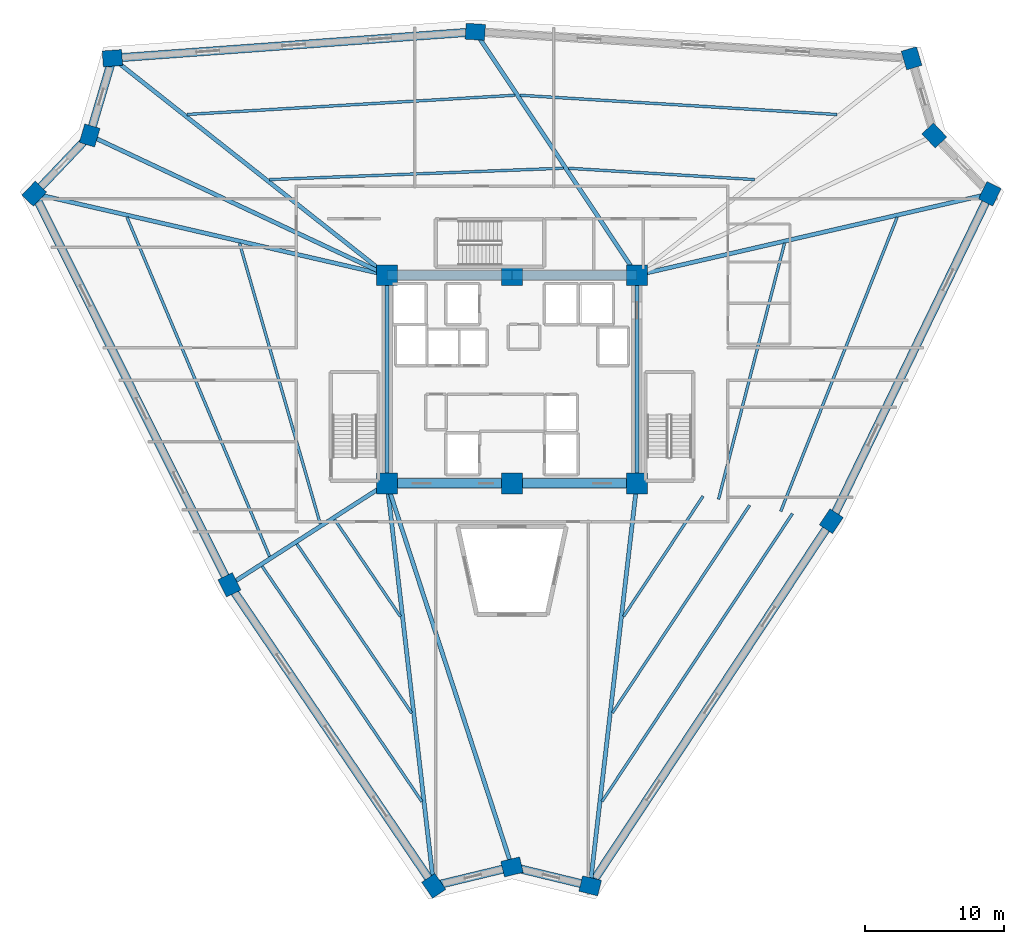
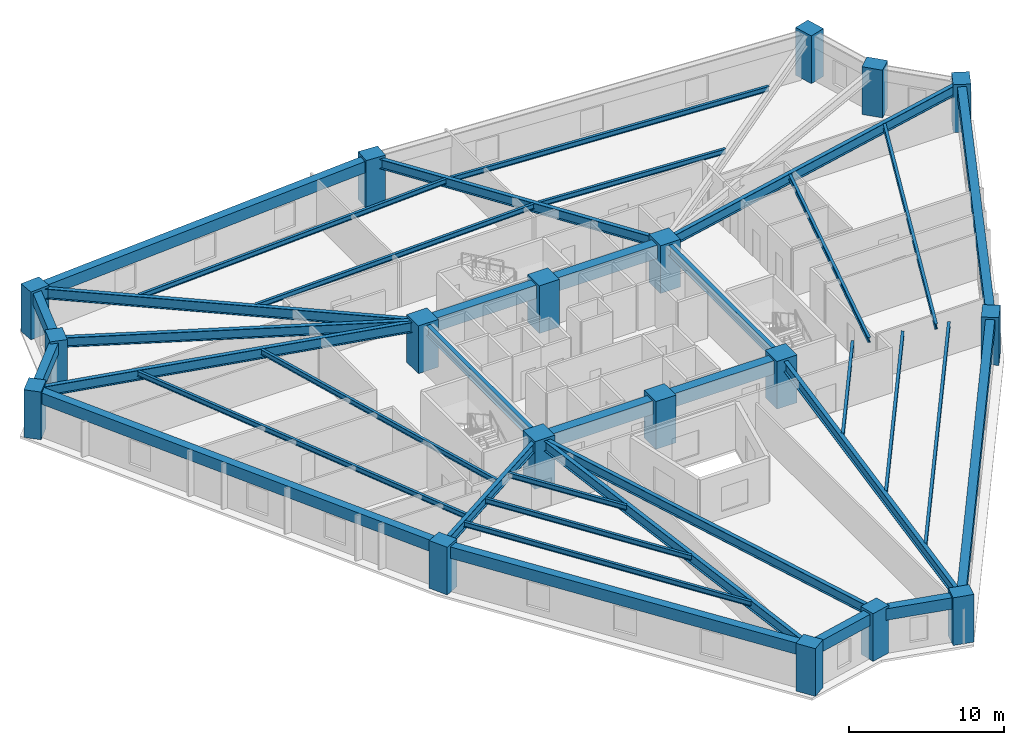
# One storey, part 1 of 8: 38 beams, 18 columns.
"""IFC4 building model written with IfcOpenShell, lengths in metres."""

from ifc_helpers import new_model, si_unit, direction, frame, origin, origin_2d, place, context, subcontext, project, spatial, rectangle, i_section, extrude, source, transform, mapped, material, material_profile, profile_set, type_object, element, save


model = new_model("IFC4")

# Units and contexts
model_context = context("Model", 3, precision=1e-05, world=origin(), true_north=direction((0.0, 1.0)))
body_context = subcontext(model_context, "Body", "Model", "MODEL_VIEW")
ifc_project = project(units=[si_unit("LENGTHUNIT", "METRE"), si_unit("AREAUNIT", "SQUARE_METRE"), si_unit("VOLUMEUNIT", "CUBIC_METRE"), si_unit("PLANEANGLEUNIT", "RADIAN"), si_unit("MASSUNIT", "GRAM", prefix="KILO")], contexts=[model_context])

# Site, building, storey
site_placement = place(None, origin())
site = spatial("IfcSite", under=ifc_project, at=site_placement, CompositionType="ELEMENT")
building_placement = place(site_placement, origin())
building = spatial("IfcBuilding", under=site, at=building_placement, Name="Liaohun Quay Tower", CompositionType="ELEMENT")
storey_placement = place(building_placement, frame((0.0, 0.0, 177.75)))
storey = spatial("IfcBuildingStorey", under=building, at=storey_placement, Name="L46", CompositionType="ELEMENT", Elevation=177.75)

# Columns
ifc_material_1 = material(Name="Concrete C60", Category="concrete")
ifc_material_profile_1 = material_profile(ifc_material_1, rectangle(XDim=1.5, YDim=1.5, at=origin_2d()), Name="RC1500x1500")
ifc_profile_set_1 = profile_set([ifc_material_profile_1], Name="Concrete C60")
column_type_1 = type_object("IfcColumnType", Name="COL-CC-Z2", PredefinedType="COLUMN", material=ifc_profile_set_1)
shared_shape_1 = source(origin(), body_context, "Body", "SweptSolid", [
    extrude(rectangle(XDim=1.5, YDim=1.5, at=origin_2d()), origin(), (0.0, 0.0, 1.0), 3.75),
])
for number, where, z_axis, x_axis, name in (
    (1, (51.0, 46.5, 0.0), (0.0, 0.0, 1.0), (1.0, 0.0, 0.0), "L46 Core Column CC1"),
    (2, (60.0, 46.5, 0.0), (0.0, 0.0, 1.0), (1.0, 0.0, 0.0), "L46 Core Column CC2"),
    (3, (69.0, 46.5, 0.0), (0.0, 0.0, 1.0), (1.0, 0.0, 0.0), "L46 Core Column CC3"),
    (4, (69.0, 61.5, 0.0), (0.0, 0.0, 1.0), (1.0, 0.0, 0.0), "L46 Core Column CC4"),
    (5, (60.0, 61.5, 0.0), (0.0, 0.0, 1.0), (1.0, 0.0, 0.0), "L46 Core Column CC5"),
    (6, (51.0, 61.5, 0.0), (0.0, 0.0, 1.0), (1.0, 0.0, 0.0), "L46 Core Column CC6"),
):
    element("IfcColumn", number, at=place(storey_placement, frame(where, z_axis=z_axis, x_axis=x_axis)), inside=storey, type_object=column_type_1, Name=name, PredefinedType="COLUMN", context=body_context, shape_type="MappedRepresentation", body=[
        mapped(shared_shape_1, transform((0.0, 0.0, 0.0), x_axis=(1.0, 0.0, 0.0), y_axis=(0.0, 1.0, 0.0), z_axis=(0.0, 0.0, 1.0), scale=1.0)),
    ])
ifc_material_profile_2 = material_profile(ifc_material_1, rectangle(XDim=1.39990234375, YDim=1.14990234375, at=origin_2d()), Name="RC1400x1150")
ifc_profile_set_2 = profile_set([ifc_material_profile_2], Name="Concrete C60")
column_type_2 = type_object("IfcColumnType", Name="COL-PIER-Z2", PredefinedType="COLUMN", material=ifc_profile_set_2)
shared_shape_2 = source(origin(), body_context, "Body", "SweptSolid", [
    extrude(rectangle(XDim=1.39990234375, YDim=1.14990234375, at=origin_2d()), origin(), (0.0, 0.0, 1.0), 3.75),
])
for number, where, z_axis, x_axis, name in (
    (7, (54.362060546875, 17.50390625, 0.0), (0.0, 0.0, 1.0), (-0.561505829755, 0.827472780913, 0.0), "L46 Perimeter Pier PC01"),
    (8, (39.64208984375, 39.193115234375, 0.0), (0.0, 0.0, 1.0), (-0.446510176944, 0.894778554664, 0.0), "L46 Perimeter Pier PC02"),
    (9, (25.580078125, 67.3701171875, 0.0), (0.0, 0.0, 1.0), (0.68936671806, 0.724412539946, 0.0), "L46 Perimeter Pier PC03"),
    (10, (29.572998046875, 71.56689453125, 0.0), (0.0, 0.0, 1.0), (0.28284371374, 0.959166009405, 0.0), "L46 Perimeter Pier PC04"),
    (11, (31.214111328125, 77.131103515625, 0.0), (0.0, 0.0, 1.0), (0.997365364088, 0.072541922484, 0.0), "L46 Perimeter Pier PC05"),
    (12, (57.35595703125, 79.032958984375, 0.0), (0.0, 0.0, 1.0), (-0.998156047572, 0.06070012105, 0.0), "L46 Perimeter Pier PC06"),
    (13, (88.7880859375, 77.1240234375, 0.0), (0.0, 0.0, 1.0), (-0.28284371374, 0.959166009405, 0.0), "L46 Perimeter Pier PC07"),
    (14, (90.427001953125, 71.56689453125, 0.0), (0.0, 0.0, 1.0), (-0.68936671806, 0.724412539946, 0.0), "L46 Perimeter Pier PC08"),
    (15, (94.425048828125, 67.364990234375, 0.0), (0.0, 0.0, 1.0), (0.435859534333, 0.900014703397, 0.0), "L46 Perimeter Pier PC09"),
    (16, (83.001953125, 43.77392578125, 0.0), (0.0, 0.0, 1.0), (0.551645870628, 0.834078433613, 0.0), "L46 Perimeter Pier PC10"),
    (17, (65.631103515625, 17.506103515625, 0.0), (0.0, 0.0, 1.0), (-0.972043021443, 0.234802820391, 0.0), "L46 Perimeter Pier PC11"),
    (18, (60.0, 18.865966796875, 0.0), (0.0, 0.0, 1.0), (0.972043021443, 0.234802820391, 0.0), "L46 Perimeter Pier PC12"),
):
    element("IfcColumn", number, at=place(storey_placement, frame(where, z_axis=z_axis, x_axis=x_axis)), inside=storey, type_object=column_type_2, Name=name, PredefinedType="COLUMN", context=body_context, shape_type="MappedRepresentation", body=[
        mapped(shared_shape_2, transform((0.0, 0.0, 0.0), x_axis=(1.0, 0.0, 0.0), y_axis=(0.0, 1.0, 0.0), z_axis=(0.0, 0.0, 1.0), scale=1.0)),
    ])

# Beams
ifc_material_profile_3 = material_profile(ifc_material_1, rectangle(XDim=0.699951171875, YDim=1.050048828125, at=origin_2d()), Name="RC700x1050")
ifc_profile_set_3 = profile_set([ifc_material_profile_3], Name="Concrete C60")
beam_type_1 = type_object("IfcBeamType", Name="BM-CPL-1", PredefinedType="LINTEL", material=ifc_profile_set_3)
shared_shape_3 = source(origin(), body_context, "Body", "SweptSolid", [
    extrude(rectangle(XDim=0.699951171875, YDim=1.050048828125, at=origin_2d()), origin(), (0.0, 0.0, 1.0), 9.0),
])
for number, where, z_axis, x_axis, name in (
    (19, (51.0, 46.5, 3.044921875), (1.0, 0.0, 0.0), (0.0, 1.0, 0.0), "L46 Core Coupling/Ring Beam CC1-CC2"),
    (20, (60.0, 46.5, 3.044921875), (1.0, 0.0, 0.0), (0.0, 1.0, 0.0), "L46 Core Coupling/Ring Beam CC2-CC3"),
    (21, (69.0, 61.5, 3.044921875), (-1.0, 0.0, 0.0), (0.0, -1.0, 0.0), "L46 Core Coupling/Ring Beam CC4-CC5"),
    (22, (60.0, 61.5, 3.044921875), (-1.0, 0.0, 0.0), (0.0, -1.0, 0.0), "L46 Core Coupling/Ring Beam CC5-CC6"),
):
    element("IfcBeam", number, at=place(storey_placement, frame(where, z_axis=z_axis, x_axis=x_axis)), inside=storey, type_object=beam_type_1, Name=name, PredefinedType="LINTEL", context=body_context, shape_type="MappedRepresentation", body=[
        mapped(shared_shape_3, transform((0.0, 0.0, 0.0), x_axis=(1.0, 0.0, 0.0), y_axis=(0.0, 1.0, 0.0), z_axis=(0.0, 0.0, 1.0), scale=1.0)),
    ])
ifc_material_2 = material(Name="Steel Q355D", Category="steel")
ifc_material_profile_4 = material_profile(ifc_material_2, i_section(OverallWidth=0.300048828125, OverallDepth=0.800048828125, WebThickness=0.013916015625, FlangeThickness=0.02587890625, at=origin_2d()), Name="HN800x300x14x26")
ifc_profile_set_4 = profile_set([ifc_material_profile_4], Name="Steel Q355D")
beam_type_2 = type_object("IfcBeamType", Name="BM-RAD-M1", PredefinedType="BEAM", material=ifc_profile_set_4)
shared_shape_4 = source(origin(), body_context, "Body", "SweptSolid", [
    extrude(i_section(OverallWidth=0.300048828125, OverallDepth=0.800048828125, WebThickness=0.013916015625, FlangeThickness=0.02587890625, at=origin_2d()), origin(), (0.0, 0.0, 1.0), 15.0),
])
for number, where, z_axis, x_axis, name in (
    (23, (69.0, 46.5, 3.169921875), (0.0, 1.0, 0.0), (-1.0, 0.0, 0.0), "L46 Core Coupling/Ring Beam CC3-CC4"),
    (24, (51.0, 61.5, 3.169921875), (0.0, -1.0, 0.0), (1.0, 0.0, 0.0), "L46 Core Coupling/Ring Beam CC6-CC1"),
):
    element("IfcBeam", number, at=place(storey_placement, frame(where, z_axis=z_axis, x_axis=x_axis)), inside=storey, type_object=beam_type_2, Name=name, PredefinedType="BEAM", context=body_context, shape_type="MappedRepresentation", body=[
        mapped(shared_shape_4, transform((0.0, 0.0, 0.0), x_axis=(1.0, 0.0, 0.0), y_axis=(0.0, 1.0, 0.0), z_axis=(0.0, 0.0, 1.0), scale=1.0)),
    ])
shared_shape_5 = source(origin(), body_context, "Body", "SweptSolid", [
    extrude(i_section(OverallWidth=0.300048828125, OverallDepth=0.800048828125, WebThickness=0.013916015625, FlangeThickness=0.02587890625, at=origin_2d()), origin(), (0.0, 0.0, 1.0), 29.1904296875),
])
beam_1_placement = place(storey_placement, frame((51.0, 46.5, 3.169921875), z_axis=(0.115177098439, -0.993344973307, 0.0), x_axis=(0.993344973307, 0.115177098439, 0.0)))
element("IfcBeam", 25, at=beam_1_placement, inside=storey, type_object=beam_type_2, Name="L46 Radial Primary Girder CC1-PC01", PredefinedType="BEAM", context=body_context, shape_type="MappedRepresentation", body=[
    mapped(shared_shape_5, transform((0.0, 0.0, 0.0), x_axis=(1.0, 0.0, 0.0), y_axis=(0.0, 1.0, 0.0), z_axis=(0.0, 0.0, 1.0), scale=1.0)),
])
ifc_material_profile_5 = material_profile(ifc_material_2, i_section(OverallWidth=0.300048828125, OverallDepth=0.75, WebThickness=0.013916015625, FlangeThickness=0.02587890625, at=origin_2d()), Name="HN750x300x14x26")
ifc_profile_set_5 = profile_set([ifc_material_profile_5], Name="Steel Q355D")
beam_type_3 = type_object("IfcBeamType", Name="BM-RAD-M2", PredefinedType="BEAM", material=ifc_profile_set_5)
shared_shape_6 = source(origin(), body_context, "Body", "SweptSolid", [
    extrude(i_section(OverallWidth=0.300048828125, OverallDepth=0.75, WebThickness=0.013916015625, FlangeThickness=0.02587890625, at=origin_2d()), origin(), (0.0, 0.0, 1.0), 13.50537109375),
])
beam_2_placement = place(storey_placement, frame((51.0, 46.5, 3.195068359375), z_axis=(-0.840997523628, -0.54103896833, 0.0), x_axis=(0.54103896833, -0.840997523628, 0.0)))
element("IfcBeam", 26, at=beam_2_placement, inside=storey, type_object=beam_type_3, Name="L46 Radial Primary Girder CC1-PC02", PredefinedType="BEAM", context=body_context, shape_type="MappedRepresentation", body=[
    mapped(shared_shape_6, transform((0.0, 0.0, 0.0), x_axis=(1.0, 0.0, 0.0), y_axis=(0.0, 1.0, 0.0), z_axis=(0.0, 0.0, 1.0), scale=1.0)),
])
shared_shape_7 = source(origin(), body_context, "Body", "SweptSolid", [
    extrude(i_section(OverallWidth=0.300048828125, OverallDepth=0.800048828125, WebThickness=0.013916015625, FlangeThickness=0.02587890625, at=origin_2d()), origin(), (0.0, 0.0, 1.0), 26.0888671875),
])
beam_3_placement = place(storey_placement, frame((51.0, 61.5, 3.169921875), z_axis=(-0.974357748377, 0.225004395908, 0.0), x_axis=(-0.225004395908, -0.974357748377, 0.0)))
element("IfcBeam", 27, at=beam_3_placement, inside=storey, type_object=beam_type_2, Name="L46 Radial Primary Girder CC6-PC03", PredefinedType="BEAM", context=body_context, shape_type="MappedRepresentation", body=[
    mapped(shared_shape_7, transform((0.0, 0.0, 0.0), x_axis=(1.0, 0.0, 0.0), y_axis=(0.0, 1.0, 0.0), z_axis=(0.0, 0.0, 1.0), scale=1.0)),
])
shared_shape_8 = source(origin(), body_context, "Body", "SweptSolid", [
    extrude(i_section(OverallWidth=0.300048828125, OverallDepth=0.75, WebThickness=0.013916015625, FlangeThickness=0.02587890625, at=origin_2d()), origin(), (0.0, 0.0, 1.0), 23.674072265625),
])
beam_4_placement = place(storey_placement, frame((51.0, 61.5, 3.195068359375), z_axis=(-0.905085425075, 0.42522978884, 0.0), x_axis=(-0.42522978884, -0.905085425075, 0.0)))
element("IfcBeam", 28, at=beam_4_placement, inside=storey, type_object=beam_type_3, Name="L46 Radial Primary Girder CC6-PC04", PredefinedType="BEAM", context=body_context, shape_type="MappedRepresentation", body=[
    mapped(shared_shape_8, transform((0.0, 0.0, 0.0), x_axis=(1.0, 0.0, 0.0), y_axis=(0.0, 1.0, 0.0), z_axis=(0.0, 0.0, 1.0), scale=1.0)),
])
shared_shape_9 = source(origin(), body_context, "Body", "SweptSolid", [
    extrude(i_section(OverallWidth=0.300048828125, OverallDepth=0.800048828125, WebThickness=0.013916015625, FlangeThickness=0.02587890625, at=origin_2d()), origin(), (0.0, 0.0, 1.0), 25.21533203125),
])
beam_5_placement = place(storey_placement, frame((51.0, 61.5, 3.169921875), z_axis=(-0.784677016189, 0.619904815487, 0.0), x_axis=(-0.619904815487, -0.784677016189, 0.0)))
element("IfcBeam", 29, at=beam_5_placement, inside=storey, type_object=beam_type_2, Name="L46 Radial Primary Girder CC6-PC05", PredefinedType="BEAM", context=body_context, shape_type="MappedRepresentation", body=[
    mapped(shared_shape_9, transform((0.0, 0.0, 0.0), x_axis=(1.0, 0.0, 0.0), y_axis=(0.0, 1.0, 0.0), z_axis=(0.0, 0.0, 1.0), scale=1.0)),
])
shared_shape_10 = source(origin(), body_context, "Body", "SweptSolid", [
    extrude(i_section(OverallWidth=0.300048828125, OverallDepth=0.75, WebThickness=0.013916015625, FlangeThickness=0.02587890625, at=origin_2d()), origin(), (0.0, 0.0, 1.0), 21.04736328125),
])
beam_6_placement = place(storey_placement, frame((69.0, 61.5, 3.195068359375), z_axis=(-0.553232427979, 0.83302693872, 0.0), x_axis=(-0.83302693872, -0.553232427979, 0.0)))
element("IfcBeam", 30, at=beam_6_placement, inside=storey, type_object=beam_type_3, Name="L46 Radial Primary Girder CC4-PC06", PredefinedType="BEAM", context=body_context, shape_type="MappedRepresentation", body=[
    mapped(shared_shape_10, transform((0.0, 0.0, 0.0), x_axis=(1.0, 0.0, 0.0), y_axis=(0.0, 1.0, 0.0), z_axis=(0.0, 0.0, 1.0), scale=1.0)),
])
shared_shape_11 = source(origin(), body_context, "Body", "SweptSolid", [
    extrude(i_section(OverallWidth=0.300048828125, OverallDepth=0.800048828125, WebThickness=0.013916015625, FlangeThickness=0.02587890625, at=origin_2d()), origin(), (0.0, 0.0, 1.0), 26.0927734375),
])
beam_7_placement = place(storey_placement, frame((69.0, 61.5, 3.169921875), z_axis=(0.974410746355, 0.224774770356, 0.0), x_axis=(-0.224774770356, 0.974410746355, 0.0)))
element("IfcBeam", 31, at=beam_7_placement, inside=storey, type_object=beam_type_2, Name="L46 Radial Primary Girder CC4-PC09", PredefinedType="BEAM", context=body_context, shape_type="MappedRepresentation", body=[
    mapped(shared_shape_11, transform((0.0, 0.0, 0.0), x_axis=(1.0, 0.0, 0.0), y_axis=(0.0, 1.0, 0.0), z_axis=(0.0, 0.0, 1.0), scale=1.0)),
])
shared_shape_12 = source(origin(), body_context, "Body", "SweptSolid", [
    extrude(i_section(OverallWidth=0.300048828125, OverallDepth=0.800048828125, WebThickness=0.013916015625, FlangeThickness=0.02587890625, at=origin_2d()), origin(), (0.0, 0.0, 1.0), 29.18896484375),
])
beam_8_placement = place(storey_placement, frame((69.0, 46.5, 3.169921875), z_axis=(-0.115416796794, -0.993317151275, 0.0), x_axis=(0.993317151275, -0.115416796794, 0.0)))
element("IfcBeam", 32, at=beam_8_placement, inside=storey, type_object=beam_type_2, Name="L46 Radial Primary Girder CC3-PC11", PredefinedType="BEAM", context=body_context, shape_type="MappedRepresentation", body=[
    mapped(shared_shape_12, transform((0.0, 0.0, 0.0), x_axis=(1.0, 0.0, 0.0), y_axis=(0.0, 1.0, 0.0), z_axis=(0.0, 0.0, 1.0), scale=1.0)),
])
shared_shape_13 = source(origin(), body_context, "Body", "SweptSolid", [
    extrude(i_section(OverallWidth=0.300048828125, OverallDepth=0.75, WebThickness=0.013916015625, FlangeThickness=0.02587890625, at=origin_2d()), origin(), (0.0, 0.0, 1.0), 29.062744140625),
])
beam_9_placement = place(storey_placement, frame((51.0, 46.5, 3.195068359375), z_axis=(0.309675423951, -0.950842327518, 0.0), x_axis=(0.950842327518, 0.309675423951, 0.0)))
element("IfcBeam", 33, at=beam_9_placement, inside=storey, type_object=beam_type_3, Name="L46 Radial Primary Girder CC1-PC12", PredefinedType="BEAM", context=body_context, shape_type="MappedRepresentation", body=[
    mapped(shared_shape_13, transform((0.0, 0.0, 0.0), x_axis=(1.0, 0.0, 0.0), y_axis=(0.0, 1.0, 0.0), z_axis=(0.0, 0.0, 1.0), scale=1.0)),
])
ifc_material_profile_6 = material_profile(ifc_material_2, i_section(OverallWidth=0.199951171875, OverallDepth=0.39990234375, WebThickness=0.008056640625, FlangeThickness=0.012939453125, at=origin_2d()), Name="HN400x200x8x13")
ifc_profile_set_6 = profile_set([ifc_material_profile_6], Name="Steel Q355D")
beam_type_4 = type_object("IfcBeamType", Name="BM-SEC-J2", PredefinedType="JOIST", material=ifc_profile_set_6)
shared_shape_14 = source(origin(), body_context, "Body", "SweptSolid", [
    extrude(i_section(OverallWidth=0.199951171875, OverallDepth=0.39990234375, WebThickness=0.008056640625, FlangeThickness=0.012939453125, at=origin_2d()), origin(), (0.0, 0.0, 1.0), 8.437255859375),
])
beam_10_placement = place(storey_placement, frame((51.9609375, 36.909912109375, 3.3701171875), z_axis=(-0.561565809271, 0.827432076885, 0.0), x_axis=(-0.827432076885, -0.561565809271, 0.0)))
element("IfcBeam", 34, at=beam_10_placement, inside=storey, type_object=beam_type_4, Name="L46 Wing Secondary Floor Joist SJ-01", PredefinedType="JOIST", context=body_context, shape_type="MappedRepresentation", body=[
    mapped(shared_shape_14, transform((0.0, 0.0, 0.0), x_axis=(1.0, 0.0, 0.0), y_axis=(0.0, 1.0, 0.0), z_axis=(0.0, 0.0, 1.0), scale=1.0)),
])
shared_shape_15 = source(origin(), body_context, "Body", "SweptSolid", [
    extrude(i_section(OverallWidth=0.199951171875, OverallDepth=0.39990234375, WebThickness=0.008056640625, FlangeThickness=0.012939453125, at=origin_2d()), origin(), (0.0, 0.0, 1.0), 14.728515625),
])
beam_11_placement = place(storey_placement, frame((52.76806640625, 29.950927734375, 3.3701171875), z_axis=(-0.561558976676, 0.827436714024, 0.0), x_axis=(-0.827436714024, -0.561558976676, 0.0)))
element("IfcBeam", 35, at=beam_11_placement, inside=storey, type_object=beam_type_4, Name="L46 Wing Secondary Floor Joist SJ-02", PredefinedType="JOIST", context=body_context, shape_type="MappedRepresentation", body=[
    mapped(shared_shape_15, transform((0.0, 0.0, 0.0), x_axis=(1.0, 0.0, 0.0), y_axis=(0.0, 1.0, 0.0), z_axis=(0.0, 0.0, 1.0), scale=1.0)),
])
shared_shape_16 = source(origin(), body_context, "Body", "SweptSolid", [
    extrude(i_section(OverallWidth=0.199951171875, OverallDepth=0.39990234375, WebThickness=0.008056640625, FlangeThickness=0.012939453125, at=origin_2d()), origin(), (0.0, 0.0, 1.0), 20.49462890625),
])
beam_12_placement = place(storey_placement, frame((53.507080078125, 23.572021484375, 3.3701171875), z_axis=(-0.561562008765, 0.827434656219, 0.0), x_axis=(-0.827434656219, -0.561562008765, 0.0)))
element("IfcBeam", 36, at=beam_12_placement, inside=storey, type_object=beam_type_4, Name="L46 Wing Secondary Floor Joist SJ-03", PredefinedType="JOIST", context=body_context, shape_type="MappedRepresentation", body=[
    mapped(shared_shape_16, transform((0.0, 0.0, 0.0), x_axis=(1.0, 0.0, 0.0), y_axis=(0.0, 1.0, 0.0), z_axis=(0.0, 0.0, 1.0), scale=1.0)),
])
shared_shape_17 = source(origin(), body_context, "Body", "SweptSolid", [
    extrude(i_section(OverallWidth=0.199951171875, OverallDepth=0.39990234375, WebThickness=0.008056640625, FlangeThickness=0.012939453125, at=origin_2d()), origin(), (0.0, 0.0, 1.0), 21.03857421875),
])
beam_13_placement = place(storey_placement, frame((46.18603515625, 43.58203125, 3.3701171875), z_axis=(-0.276394377443, 0.961044300809, 0.0), x_axis=(-0.961044300809, -0.276394377443, 0.0)))
element("IfcBeam", 37, at=beam_13_placement, inside=storey, type_object=beam_type_4, Name="L46 Wing Secondary Floor Joist SJ-04", PredefinedType="JOIST", context=body_context, shape_type="MappedRepresentation", body=[
    mapped(shared_shape_17, transform((0.0, 0.0, 0.0), x_axis=(1.0, 0.0, 0.0), y_axis=(0.0, 1.0, 0.0), z_axis=(0.0, 0.0, 1.0), scale=1.0)),
])
shared_shape_18 = source(origin(), body_context, "Body", "SweptSolid", [
    extrude(i_section(OverallWidth=0.199951171875, OverallDepth=0.39990234375, WebThickness=0.008056640625, FlangeThickness=0.012939453125, at=origin_2d()), origin(), (0.0, 0.0, 1.0), 26.51220703125),
])
beam_14_placement = place(storey_placement, frame((42.535888671875, 41.23291015625, 3.3701171875), z_axis=(-0.387553870064, 0.921847057704, 0.0), x_axis=(-0.921847057704, -0.387553870064, 0.0)))
element("IfcBeam", 38, at=beam_14_placement, inside=storey, type_object=beam_type_4, Name="L46 Wing Secondary Floor Joist SJ-05", PredefinedType="JOIST", context=body_context, shape_type="MappedRepresentation", body=[
    mapped(shared_shape_18, transform((0.0, 0.0, 0.0), x_axis=(1.0, 0.0, 0.0), y_axis=(0.0, 1.0, 0.0), z_axis=(0.0, 0.0, 1.0), scale=1.0)),
])
shared_shape_19 = source(origin(), body_context, "Body", "SweptSolid", [
    extrude(i_section(OverallWidth=0.199951171875, OverallDepth=0.39990234375, WebThickness=0.008056640625, FlangeThickness=0.012939453125, at=origin_2d()), origin(), (0.0, 0.0, 1.0), 21.19189453125),
])
beam_15_placement = place(storey_placement, frame((42.52490234375, 68.386962890625, 3.3701171875), z_axis=(0.999249197644, 0.038743270481, 0.0), x_axis=(-0.038743270481, 0.999249197644, 0.0)))
element("IfcBeam", 39, at=beam_15_placement, inside=storey, type_object=beam_type_4, Name="L46 Wing Secondary Floor Joist SJ-06", PredefinedType="JOIST", context=body_context, shape_type="MappedRepresentation", body=[
    mapped(shared_shape_19, transform((0.0, 0.0, 0.0), x_axis=(1.0, 0.0, 0.0), y_axis=(0.0, 1.0, 0.0), z_axis=(0.0, 0.0, 1.0), scale=1.0)),
])
shared_shape_20 = source(origin(), body_context, "Body", "SweptSolid", [
    extrude(i_section(OverallWidth=0.199951171875, OverallDepth=0.39990234375, WebThickness=0.008056640625, FlangeThickness=0.012939453125, at=origin_2d()), origin(), (0.0, 0.0, 1.0), 23.66650390625),
])
beam_16_placement = place(storey_placement, frame((36.583984375, 73.080078125, 3.3701171875), z_axis=(0.998288537246, 0.058480735312, 0.0), x_axis=(-0.058480735312, 0.998288537246, 0.0)))
element("IfcBeam", 40, at=beam_16_placement, inside=storey, type_object=beam_type_4, Name="L46 Wing Secondary Floor Joist SJ-07", PredefinedType="JOIST", context=body_context, shape_type="MappedRepresentation", body=[
    mapped(shared_shape_20, transform((0.0, 0.0, 0.0), x_axis=(1.0, 0.0, 0.0), y_axis=(0.0, 1.0, 0.0), z_axis=(0.0, 0.0, 1.0), scale=1.0)),
])
shared_shape_21 = source(origin(), body_context, "Body", "SweptSolid", [
    extrude(i_section(OverallWidth=0.199951171875, OverallDepth=0.39990234375, WebThickness=0.008056640625, FlangeThickness=0.012939453125, at=origin_2d()), origin(), (0.0, 0.0, 1.0), 13.442626953125),
])
beam_17_placement = place(storey_placement, frame((64.06396484375, 69.202880859375, 3.3701171875), z_axis=(0.998160711969, -0.060623370752, 0.0), x_axis=(0.060623370752, 0.998160711969, 0.0)))
element("IfcBeam", 41, at=beam_17_placement, inside=storey, type_object=beam_type_4, Name="L46 Wing Secondary Floor Joist SJ-08", PredefinedType="JOIST", context=body_context, shape_type="MappedRepresentation", body=[
    mapped(shared_shape_21, transform((0.0, 0.0, 0.0), x_axis=(1.0, 0.0, 0.0), y_axis=(0.0, 1.0, 0.0), z_axis=(0.0, 0.0, 1.0), scale=1.0)),
])
shared_shape_22 = source(origin(), body_context, "Body", "SweptSolid", [
    extrude(i_section(OverallWidth=0.199951171875, OverallDepth=0.39990234375, WebThickness=0.008056640625, FlangeThickness=0.012939453125, at=origin_2d()), origin(), (0.0, 0.0, 1.0), 22.88916015625),
])
beam_18_placement = place(storey_placement, frame((60.571044921875, 74.462890625, 3.3701171875), z_axis=(0.998159840222, -0.060637722312, 0.0), x_axis=(0.060637722312, 0.998159840222, 0.0)))
element("IfcBeam", 42, at=beam_18_placement, inside=storey, type_object=beam_type_4, Name="L46 Wing Secondary Floor Joist SJ-09", PredefinedType="JOIST", context=body_context, shape_type="MappedRepresentation", body=[
    mapped(shared_shape_22, transform((0.0, 0.0, 0.0), x_axis=(1.0, 0.0, 0.0), y_axis=(0.0, 1.0, 0.0), z_axis=(0.0, 0.0, 1.0), scale=1.0)),
])
shared_shape_23 = source(origin(), body_context, "Body", "SweptSolid", [
    extrude(i_section(OverallWidth=0.199951171875, OverallDepth=0.39990234375, WebThickness=0.008056640625, FlangeThickness=0.012939453125, at=origin_2d()), origin(), (0.0, 0.0, 1.0), 19.048095703125),
])
beam_19_placement = place(storey_placement, frame((79.635986328125, 63.800048828125, 3.3701171875), z_axis=(-0.249625270378, -0.968342513984, 0.0), x_axis=(0.968342513984, -0.249625270378, 0.0)))
element("IfcBeam", 43, at=beam_19_placement, inside=storey, type_object=beam_type_4, Name="L46 Wing Secondary Floor Joist SJ-10", PredefinedType="JOIST", context=body_context, shape_type="MappedRepresentation", body=[
    mapped(shared_shape_23, transform((0.0, 0.0, 0.0), x_axis=(1.0, 0.0, 0.0), y_axis=(0.0, 1.0, 0.0), z_axis=(0.0, 0.0, 1.0), scale=1.0)),
])
shared_shape_24 = source(origin(), body_context, "Body", "SweptSolid", [
    extrude(i_section(OverallWidth=0.199951171875, OverallDepth=0.39990234375, WebThickness=0.008056640625, FlangeThickness=0.012939453125, at=origin_2d()), origin(), (0.0, 0.0, 1.0), 22.787109375),
])
beam_20_placement = place(storey_placement, frame((87.7470703125, 65.6708984375, 3.3701171875), z_axis=(-0.368013329907, -0.929820514406, 0.0), x_axis=(0.929820514406, -0.368013329907, 0.0)))
element("IfcBeam", 44, at=beam_20_placement, inside=storey, type_object=beam_type_4, Name="L46 Wing Secondary Floor Joist SJ-11", PredefinedType="JOIST", context=body_context, shape_type="MappedRepresentation", body=[
    mapped(shared_shape_24, transform((0.0, 0.0, 0.0), x_axis=(1.0, 0.0, 0.0), y_axis=(0.0, 1.0, 0.0), z_axis=(0.0, 0.0, 1.0), scale=1.0)),
])
shared_shape_25 = source(origin(), body_context, "Body", "SweptSolid", [
    extrude(i_section(OverallWidth=0.199951171875, OverallDepth=0.39990234375, WebThickness=0.008056640625, FlangeThickness=0.012939453125, at=origin_2d()), origin(), (0.0, 0.0, 1.0), 10.375244140625),
])
beam_21_placement = place(storey_placement, frame((73.760986328125, 45.572998046875, 3.3701171875), z_axis=(-0.551595651984, -0.834111645232, 0.0), x_axis=(0.834111645232, -0.551595651984, 0.0)))
element("IfcBeam", 45, at=beam_21_placement, inside=storey, type_object=beam_type_4, Name="L46 Wing Secondary Floor Joist SJ-12", PredefinedType="JOIST", context=body_context, shape_type="MappedRepresentation", body=[
    mapped(shared_shape_25, transform((0.0, 0.0, 0.0), x_axis=(1.0, 0.0, 0.0), y_axis=(0.0, 1.0, 0.0), z_axis=(0.0, 0.0, 1.0), scale=1.0)),
])
shared_shape_26 = source(origin(), body_context, "Body", "SweptSolid", [
    extrude(i_section(OverallWidth=0.199951171875, OverallDepth=0.39990234375, WebThickness=0.008056640625, FlangeThickness=0.012939453125, at=origin_2d()), origin(), (0.0, 0.0, 1.0), 17.93310546875),
])
beam_22_placement = place(storey_placement, frame((77.12109375, 44.9189453125, 3.3701171875), z_axis=(-0.551611245775, -0.834101332893, 0.0), x_axis=(0.834101332893, -0.551611245775, 0.0)))
element("IfcBeam", 46, at=beam_22_placement, inside=storey, type_object=beam_type_4, Name="L46 Wing Secondary Floor Joist SJ-13", PredefinedType="JOIST", context=body_context, shape_type="MappedRepresentation", body=[
    mapped(shared_shape_26, transform((0.0, 0.0, 0.0), x_axis=(1.0, 0.0, 0.0), y_axis=(0.0, 1.0, 0.0), z_axis=(0.0, 0.0, 1.0), scale=1.0)),
])
shared_shape_27 = source(origin(), body_context, "Body", "SweptSolid", [
    extrude(i_section(OverallWidth=0.199951171875, OverallDepth=0.39990234375, WebThickness=0.008056640625, FlangeThickness=0.012939453125, at=origin_2d()), origin(), (0.0, 0.0, 1.0), 24.861572265625),
])
beam_23_placement = place(storey_placement, frame((80.201904296875, 44.319091796875, 3.3701171875), z_axis=(-0.551609873525, -0.834102240393, 0.0), x_axis=(0.834102240393, -0.551609873525, 0.0)))
element("IfcBeam", 47, at=beam_23_placement, inside=storey, type_object=beam_type_4, Name="L46 Wing Secondary Floor Joist SJ-14", PredefinedType="JOIST", context=body_context, shape_type="MappedRepresentation", body=[
    mapped(shared_shape_27, transform((0.0, 0.0, 0.0), x_axis=(1.0, 0.0, 0.0), y_axis=(0.0, 1.0, 0.0), z_axis=(0.0, 0.0, 1.0), scale=1.0)),
])
ifc_material_3 = material(Name="Precast concrete C55", Category="concrete")
ifc_material_profile_7 = material_profile(ifc_material_3, rectangle(XDim=0.60009765625, YDim=0.89990234375, at=origin_2d()), Name="RC600x900")
ifc_profile_set_7 = profile_set([ifc_material_profile_7], Name="Precast concrete C55")
beam_type_5 = type_object("IfcBeamType", Name="BM-SPD-Z2", PredefinedType="SPANDREL", material=ifc_profile_set_7)
shared_shape_28 = source(origin(), body_context, "Body", "SweptSolid", [
    extrude(rectangle(XDim=0.60009765625, YDim=0.89990234375, at=origin_2d()), origin(), (0.0, 0.0, 1.0), 26.212646484375),
])
beam_24_placement = place(storey_placement, frame((54.362060546875, 17.50390625, 3.1201171875), z_axis=(-0.561561318488, 0.827435124694, 0.0), x_axis=(-0.827435124694, -0.561561318488, 0.0)))
element("IfcBeam", 48, at=beam_24_placement, inside=storey, type_object=beam_type_5, Name="L46 Precast Spandrel Beam PC01-PC02", PredefinedType="SPANDREL", context=body_context, shape_type="MappedRepresentation", body=[
    mapped(shared_shape_28, transform((0.0, 0.0, 0.0), x_axis=(1.0, 0.0, 0.0), y_axis=(0.0, 1.0, 0.0), z_axis=(0.0, 0.0, 1.0), scale=1.0)),
])
shared_shape_29 = source(origin(), body_context, "Body", "SweptSolid", [
    extrude(rectangle(XDim=0.60009765625, YDim=0.89990234375, at=origin_2d()), origin(), (0.0, 0.0, 1.0), 31.490966796875),
])
beam_25_placement = place(storey_placement, frame((39.64208984375, 39.193115234375, 3.1201171875), z_axis=(-0.446540533784, 0.894763405425, 0.0), x_axis=(-0.894763405425, -0.446540533784, 0.0)))
element("IfcBeam", 49, at=beam_25_placement, inside=storey, type_object=beam_type_5, Name="L46 Precast Spandrel Beam PC02-PC03", PredefinedType="SPANDREL", context=body_context, shape_type="MappedRepresentation", body=[
    mapped(shared_shape_29, transform((0.0, 0.0, 0.0), x_axis=(1.0, 0.0, 0.0), y_axis=(0.0, 1.0, 0.0), z_axis=(0.0, 0.0, 1.0), scale=1.0)),
])
shared_shape_30 = source(origin(), body_context, "Body", "SweptSolid", [
    extrude(rectangle(XDim=0.60009765625, YDim=0.89990234375, at=origin_2d()), origin(), (0.0, 0.0, 1.0), 5.792724609375),
])
beam_26_placement = place(storey_placement, frame((25.580078125, 67.3701171875, 3.1201171875), z_axis=(0.689292011777, 0.724483624729, 0.0), x_axis=(-0.724483624729, 0.689292011777, 0.0)))
element("IfcBeam", 50, at=beam_26_placement, inside=storey, type_object=beam_type_5, Name="L46 Precast Spandrel Beam PC03-PC04", PredefinedType="SPANDREL", context=body_context, shape_type="MappedRepresentation", body=[
    mapped(shared_shape_30, transform((0.0, 0.0, 0.0), x_axis=(1.0, 0.0, 0.0), y_axis=(0.0, 1.0, 0.0), z_axis=(0.0, 0.0, 1.0), scale=1.0)),
])
shared_shape_31 = source(origin(), body_context, "Body", "SweptSolid", [
    extrude(rectangle(XDim=0.60009765625, YDim=0.89990234375, at=origin_2d()), origin(), (0.0, 0.0, 1.0), 5.80126953125),
])
beam_27_placement = place(storey_placement, frame((29.572998046875, 71.56689453125, 3.1201171875), z_axis=(0.282893074551, 0.959151452259, 0.0), x_axis=(-0.959151452259, 0.282893074551, 0.0)))
element("IfcBeam", 51, at=beam_27_placement, inside=storey, type_object=beam_type_5, Name="L46 Precast Spandrel Beam PC04-PC05", PredefinedType="SPANDREL", context=body_context, shape_type="MappedRepresentation", body=[
    mapped(shared_shape_31, transform((0.0, 0.0, 0.0), x_axis=(1.0, 0.0, 0.0), y_axis=(0.0, 1.0, 0.0), z_axis=(0.0, 0.0, 1.0), scale=1.0)),
])
shared_shape_32 = source(origin(), body_context, "Body", "SweptSolid", [
    extrude(rectangle(XDim=0.60009765625, YDim=0.89990234375, at=origin_2d()), origin(), (0.0, 0.0, 1.0), 26.2109375),
])
beam_28_placement = place(storey_placement, frame((31.214111328125, 77.131103515625, 3.1201171875), z_axis=(0.997364076912, 0.072559617464, 0.0), x_axis=(-0.072559617464, 0.997364076912, 0.0)))
element("IfcBeam", 52, at=beam_28_placement, inside=storey, type_object=beam_type_5, Name="L46 Precast Spandrel Beam PC05-PC06", PredefinedType="SPANDREL", context=body_context, shape_type="MappedRepresentation", body=[
    mapped(shared_shape_32, transform((0.0, 0.0, 0.0), x_axis=(1.0, 0.0, 0.0), y_axis=(0.0, 1.0, 0.0), z_axis=(0.0, 0.0, 1.0), scale=1.0)),
])
shared_shape_33 = source(origin(), body_context, "Body", "SweptSolid", [
    extrude(rectangle(XDim=0.60009765625, YDim=0.89990234375, at=origin_2d()), origin(), (0.0, 0.0, 1.0), 5.800048828125),
])
beam_29_placement = place(storey_placement, frame((60.0, 18.865966796875, 3.1201171875), z_axis=(-0.972035840862, -0.234832544761, 0.0), x_axis=(0.234832544761, -0.972035840862, 0.0)))
element("IfcBeam", 53, at=beam_29_placement, inside=storey, type_object=beam_type_5, Name="L46 Precast Spandrel Beam PC12-PC01", PredefinedType="SPANDREL", context=body_context, shape_type="MappedRepresentation", body=[
    mapped(shared_shape_33, transform((0.0, 0.0, 0.0), x_axis=(1.0, 0.0, 0.0), y_axis=(0.0, 1.0, 0.0), z_axis=(0.0, 0.0, 1.0), scale=1.0)),
])
shared_shape_34 = source(origin(), body_context, "Body", "SweptSolid", [
    extrude(rectangle(XDim=0.60009765625, YDim=0.89990234375, at=origin_2d()), origin(), (0.0, 0.0, 1.0), 26.211181640625),
])
beam_30_placement = place(storey_placement, frame((94.425048828125, 67.364990234375, 3.1201171875), z_axis=(-0.435810216179, -0.900038585547, 0.0), x_axis=(0.900038585547, -0.435810216179, 0.0)))
element("IfcBeam", 54, at=beam_30_placement, inside=storey, type_object=beam_type_5, Name="L46 Precast Spandrel Beam PC09-PC10", PredefinedType="SPANDREL", context=body_context, shape_type="MappedRepresentation", body=[
    mapped(shared_shape_34, transform((0.0, 0.0, 0.0), x_axis=(1.0, 0.0, 0.0), y_axis=(0.0, 1.0, 0.0), z_axis=(0.0, 0.0, 1.0), scale=1.0)),
])
shared_shape_35 = source(origin(), body_context, "Body", "SweptSolid", [
    extrude(rectangle(XDim=0.60009765625, YDim=0.89990234375, at=origin_2d()), origin(), (0.0, 0.0, 1.0), 31.491943359375),
])
beam_31_placement = place(storey_placement, frame((83.001953125, 43.77392578125, 3.1201171875), z_axis=(-0.551595953876, -0.834111445592, 0.0), x_axis=(0.834111445592, -0.551595953876, 0.0)))
element("IfcBeam", 55, at=beam_31_placement, inside=storey, type_object=beam_type_5, Name="L46 Precast Spandrel Beam PC10-PC11", PredefinedType="SPANDREL", context=body_context, shape_type="MappedRepresentation", body=[
    mapped(shared_shape_35, transform((0.0, 0.0, 0.0), x_axis=(1.0, 0.0, 0.0), y_axis=(0.0, 1.0, 0.0), z_axis=(0.0, 0.0, 1.0), scale=1.0)),
])
shared_shape_36 = source(origin(), body_context, "Body", "SweptSolid", [
    extrude(rectangle(XDim=0.60009765625, YDim=0.89990234375, at=origin_2d()), origin(), (0.0, 0.0, 1.0), 5.79296875),
])
beam_32_placement = place(storey_placement, frame((65.631103515625, 17.506103515625, 3.1201171875), z_axis=(-0.972057342739, 0.23474352478, 0.0), x_axis=(-0.23474352478, -0.972057342739, 0.0)))
element("IfcBeam", 56, at=beam_32_placement, inside=storey, type_object=beam_type_5, Name="L46 Precast Spandrel Beam PC11-PC12", PredefinedType="SPANDREL", context=body_context, shape_type="MappedRepresentation", body=[
    mapped(shared_shape_36, transform((0.0, 0.0, 0.0), x_axis=(1.0, 0.0, 0.0), y_axis=(0.0, 1.0, 0.0), z_axis=(0.0, 0.0, 1.0), scale=1.0)),
])

save(model, "model.ifc")
